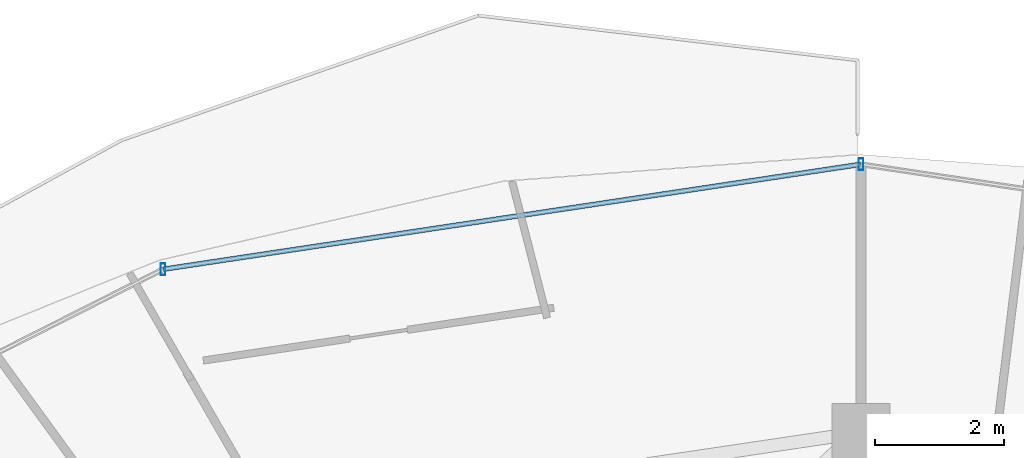
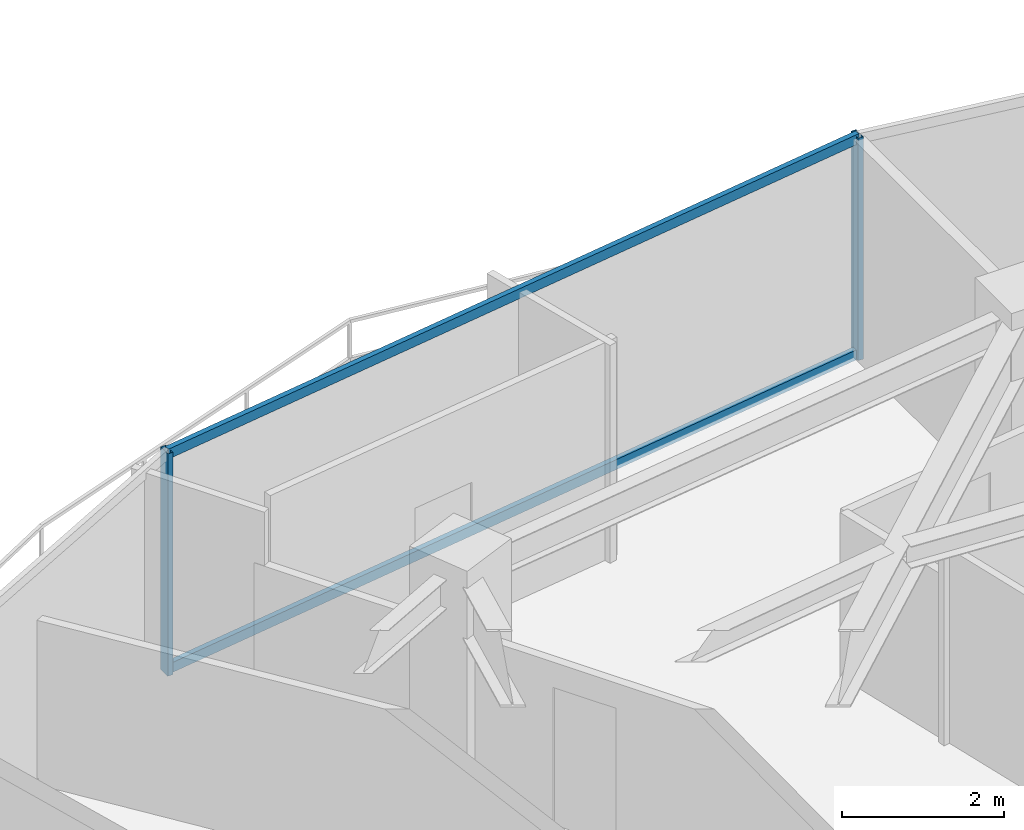
# One storey, part 20 of 34: 4 members, 1 element without a shape of its own.
"""IFC4 building model written with IfcOpenShell, lengths in metres."""

from ifc_helpers import new_model, si_unit, direction, frame, origin, origin_2d, place, context, subcontext, project, spatial, hollow_rectangle, extrude, material, material_profile, profile_set, type_object, element, aggregate, save


model = new_model("IFC4")

# Units and contexts
model_context = context("Model", 3, precision=1e-05, world=origin(), true_north=direction((0.0, 1.0)))
body_context = subcontext(model_context, "Body", "Model", "MODEL_VIEW")
ifc_project = project(units=[si_unit("LENGTHUNIT", "METRE"), si_unit("AREAUNIT", "SQUARE_METRE"), si_unit("VOLUMEUNIT", "CUBIC_METRE"), si_unit("PLANEANGLEUNIT", "RADIAN"), si_unit("MASSUNIT", "GRAM", prefix="KILO")], contexts=[model_context])

# Site, building, storey
site_placement = place(None, origin())
site = spatial("IfcSite", under=ifc_project, at=site_placement, CompositionType="ELEMENT")
building_placement = place(site_placement, origin())
building = spatial("IfcBuilding", under=site, at=building_placement, Name="Vorneva Point Tower", CompositionType="ELEMENT")
storey_placement = place(building_placement, frame((0.0, 0.0, 210.75)))
storey = spatial("IfcBuildingStorey", under=building, at=storey_placement, Name="L57", CompositionType="ELEMENT", Elevation=210.75)

# Curtain wall, members
ifc_material = material(Name="Pale anodised aluminium", Category="aluminium")
curtain_wall_type = type_object("IfcCurtainWallType", Name="CW-RES-SYS", PredefinedType="NOTDEFINED", material=ifc_material)
curtain_wall_placement = place(storey_placement, origin())
curtain_wall = element("IfcCurtainWall", 1, at=curtain_wall_placement, inside=storey, type_object=curtain_wall_type, Name="L57 Unitised Curtain Wall CW-L57-R02", PredefinedType="NOTDEFINED")
ifc_material_profile_1 = material_profile(ifc_material, hollow_rectangle(XDim=0.074951171875, YDim=0.179931640625, WallThickness=0.00390625, at=origin_2d()), Name="AL-MUL 180x75x4")
ifc_profile_set_1 = profile_set([ifc_material_profile_1], Name="Pale anodised aluminium")
member_type_1 = type_object("IfcMemberType", Name="CW-MUL-180", PredefinedType="MULLION", material=ifc_profile_set_1)
member_1_placement = place(storey_placement, frame((38.0, 47.35009765625, -0.0400390625), z_axis=(0.0, 0.0, 1.0), x_axis=(1.0, 0.0, 0.0)))
member_1 = element("IfcMember", 2, at=member_1_placement, type_object=member_type_1, Name="CW-L57-R02 Mullion 03", PredefinedType="MULLION", context=body_context, shape_type="SweptSolid", body=[
    extrude(hollow_rectangle(XDim=0.074951171875, YDim=0.179931640625, WallThickness=0.00390625, at=origin_2d()), origin(), (0.0, 0.0, 1.0), 3.360107421875),
])
member_2_placement = place(storey_placement, frame((27.19677734375, 45.724853515625, -0.0400390625), z_axis=(0.0, 0.0, 1.0), x_axis=(1.0, 0.0, 0.0)))
member_2 = element("IfcMember", 3, at=member_2_placement, type_object=member_type_1, Name="CW-L57-R02 Mullion 04", PredefinedType="MULLION", context=body_context, shape_type="SweptSolid", body=[
    extrude(hollow_rectangle(XDim=0.074951171875, YDim=0.179931640625, WallThickness=0.00390625, at=origin_2d()), origin(), (0.0, 0.0, 1.0), 3.360107421875),
])
ifc_material_profile_2 = material_profile(ifc_material, hollow_rectangle(XDim=0.074951171875, YDim=0.14990234375, WallThickness=0.00390625, at=origin_2d()), Name="AL-TRN 150x75x4")
ifc_profile_set_2 = profile_set([ifc_material_profile_2], Name="Pale anodised aluminium")
member_type_2 = type_object("IfcMemberType", Name="CW-TRN-150", PredefinedType="USERDEFINED", material=ifc_profile_set_2)
member_3_placement = place(storey_placement, frame((38.0, 47.35009765625, 0.02001953125), z_axis=(-0.988872333273, -0.148766624239, 0.0), x_axis=(0.148766624239, -0.988872333273, 0.0)))
member_3 = element("IfcMember", 4, at=member_3_placement, type_object=member_type_2, Name="CW-L57-R02 Transom 03.1", ObjectType="TRANSOM", PredefinedType="USERDEFINED", context=body_context, shape_type="SweptSolid", body=[
    extrude(hollow_rectangle(XDim=0.074951171875, YDim=0.14990234375, WallThickness=0.00390625, at=origin_2d()), origin(), (0.0, 0.0, 1.0), 10.9248046875),
])
member_4_placement = place(storey_placement, frame((38.0, 47.35009765625, 3.27001953125), z_axis=(-0.988872333273, -0.148766624239, 0.0), x_axis=(0.148766624239, -0.988872333273, 0.0)))
member_4 = element("IfcMember", 5, at=member_4_placement, type_object=member_type_2, Name="CW-L57-R02 Transom 03.2", ObjectType="TRANSOM", PredefinedType="USERDEFINED", context=body_context, shape_type="SweptSolid", body=[
    extrude(hollow_rectangle(XDim=0.074951171875, YDim=0.14990234375, WallThickness=0.00390625, at=origin_2d()), origin(), (0.0, 0.0, 1.0), 10.9248046875),
])
aggregate(curtain_wall, [member_1, member_2, member_3, member_4])

save(model, "model.ifc")
